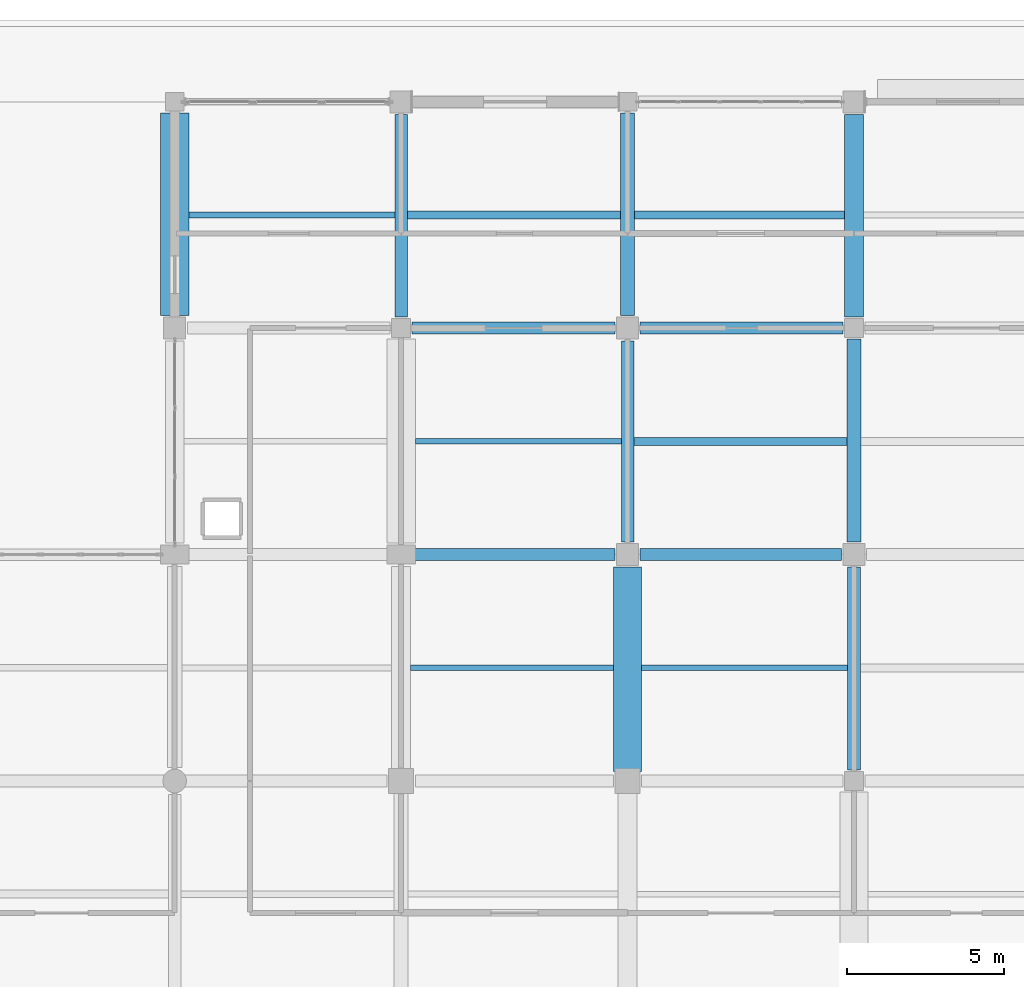
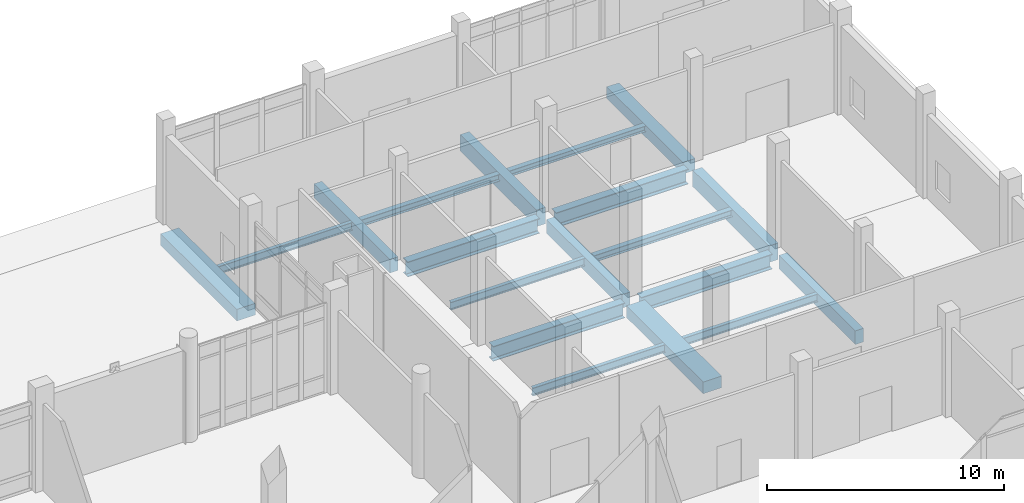
# One storey, part 134 of 229: 19 beams.
"""IFC4 building model written with IfcOpenShell, lengths in metres."""

from ifc_helpers import new_model, si_unit, direction, frame, origin, origin_2d, place, context, subcontext, project, spatial, rectangle, i_section, extrude, material, material_profile, profile_set, type_object, element, save


model = new_model("IFC4")

# Units and contexts
model_context = context("Model", 3, precision=1e-05, world=origin(), true_north=direction((0.0, 1.0)))
body_context = subcontext(model_context, "Body", "Model", "MODEL_VIEW")
ifc_project = project(units=[si_unit("LENGTHUNIT", "METRE"), si_unit("AREAUNIT", "SQUARE_METRE"), si_unit("VOLUMEUNIT", "CUBIC_METRE"), si_unit("PLANEANGLEUNIT", "RADIAN"), si_unit("MASSUNIT", "GRAM", prefix="KILO")], contexts=[model_context])

# Site, building, storey
site_placement = place(None, origin())
site = spatial("IfcSite", under=ifc_project, at=site_placement, CompositionType="ELEMENT")
building_placement = place(site_placement, origin())
building = spatial("IfcBuilding", under=site, at=building_placement, Name="Calvrana Isthmian Art Gallery", CompositionType="ELEMENT")
storey_placement = place(building_placement, origin())
storey = spatial("IfcBuildingStorey", under=building, at=storey_placement, Name="L00", CompositionType="ELEMENT", Elevation=0.0)

# Beams
ifc_material_1 = material(Name="Steel ASTM A992 Gr 50", Category="steel")
ifc_material_profile_1 = material_profile(ifc_material_1, i_section(OverallWidth=0.381103515625, OverallDepth=0.77197265625, WebThickness=0.0166015625, FlangeThickness=0.027099609375, FilletRadius=0.02490234375, at=origin_2d()), Name="W30X173")
ifc_profile_set_1 = profile_set([ifc_material_profile_1], Name="Steel ASTM A992 Gr 50")
beam_type_1 = type_object("IfcBeamType", Name="BM-G-W30X173", PredefinedType="BEAM", material=ifc_profile_set_1)
beam_1_placement = place(storey_placement, frame((141.97509765625, 98.39990234375, -0.740966796875), z_axis=(1.0, 0.0, 0.0), x_axis=(0.0, 1.0, 0.0)))
element("IfcBeam", 1, at=beam_1_placement, inside=storey, type_object=beam_type_1, Name="Girder X L00 19-20/N", PredefinedType="BEAM", context=body_context, shape_type="SweptSolid", body=[
    extrude(i_section(OverallWidth=0.381103515625, OverallDepth=0.77197265625, WebThickness=0.0166015625, FlangeThickness=0.027099609375, FilletRadius=0.02490234375, at=origin_2d()), origin(), (0.0, 0.0, 1.0), 6.4248046875),
])
beam_2_placement = place(storey_placement, frame((149.199951171875, 98.39990234375, -0.740966796875), z_axis=(1.0, 0.0, 0.0), x_axis=(0.0, 1.0, 0.0)))
element("IfcBeam", 2, at=beam_2_placement, inside=storey, type_object=beam_type_1, Name="Girder X L00 20-21/N", PredefinedType="BEAM", context=body_context, shape_type="SweptSolid", body=[
    extrude(i_section(OverallWidth=0.381103515625, OverallDepth=0.77197265625, WebThickness=0.0166015625, FlangeThickness=0.027099609375, FilletRadius=0.02490234375, at=origin_2d()), origin(), (0.0, 0.0, 1.0), 6.400146484375),
])
for number, where, z_axis, x_axis, name in (
    (3, (141.949951171875, 105.60009765625, -0.740966796875), (1.0, 0.0, 0.0), (0.0, 1.0, 0.0), "Girder X L00 19-20/O"),
    (4, (149.199951171875, 105.60009765625, -0.740966796875), (1.0, 0.0, 0.0), (0.0, 1.0, 0.0), "Girder X L00 20-21/O"),
):
    element("IfcBeam", number, at=place(storey_placement, frame(where, z_axis=z_axis, x_axis=x_axis)), inside=storey, type_object=beam_type_1, Name=name, PredefinedType="BEAM", context=body_context, shape_type="SweptSolid", body=[
        extrude(i_section(OverallWidth=0.381103515625, OverallDepth=0.77197265625, WebThickness=0.0166015625, FlangeThickness=0.027099609375, FilletRadius=0.02490234375, at=origin_2d()), origin(), (0.0, 0.0, 1.0), 6.449951171875),
    ])
ifc_material_profile_2 = material_profile(ifc_material_1, i_section(OverallWidth=0.25390625, OverallDepth=0.306884765625, WebThickness=0.0087890625, FlangeThickness=0.0146484375, FilletRadius=0.01611328125, at=origin_2d()), Name="W12X53")
ifc_profile_set_2 = profile_set([ifc_material_profile_2], Name="Steel ASTM A992 Gr 50")
beam_type_2 = type_object("IfcBeamType", Name="BM-J-W12X53", PredefinedType="JOIST", material=ifc_profile_set_2)
beam_3_placement = place(storey_placement, frame((149.02490234375, 109.199951171875, -0.508544921875), z_axis=(1.0, 0.0, 0.0), x_axis=(0.0, 1.0, 0.0)))
element("IfcBeam", 5, at=beam_3_placement, inside=storey, type_object=beam_type_2, Name="Composite joist L00 bay 19-14", PredefinedType="JOIST", context=body_context, shape_type="SweptSolid", body=[
    extrude(i_section(OverallWidth=0.25390625, OverallDepth=0.306884765625, WebThickness=0.0087890625, FlangeThickness=0.0146484375, FilletRadius=0.01611328125, at=origin_2d()), origin(), (0.0, 0.0, 1.0), 6.675048828125),
])
ifc_material_profile_3 = material_profile(ifc_material_1, i_section(OverallWidth=0.25390625, OverallDepth=0.35302734375, WebThickness=0.009521484375, FlangeThickness=0.016357421875, FilletRadius=0.01806640625, at=origin_2d()), Name="W14X61")
ifc_profile_set_3 = profile_set([ifc_material_profile_3], Name="Steel ASTM A992 Gr 50")
beam_type_3 = type_object("IfcBeamType", Name="BM-J-W14X61", PredefinedType="JOIST", material=ifc_profile_set_3)
for number, where, z_axis, x_axis, name in (
    (6, (141.800048828125, 109.199951171875, -0.531494140625), (1.0, 0.0, 0.0), (0.0, 1.0, 0.0), "Composite joist L00 bay 18-14"),
    (7, (149.0, 102.0, -0.531494140625), (1.0, 0.0, 0.0), (0.0, 1.0, 0.0), "Composite joist L00 bay 19-13"),
):
    element("IfcBeam", number, at=place(storey_placement, frame(where, z_axis=z_axis, x_axis=x_axis)), inside=storey, type_object=beam_type_3, Name=name, PredefinedType="JOIST", context=body_context, shape_type="SweptSolid", body=[
        extrude(i_section(OverallWidth=0.25390625, OverallDepth=0.35302734375, WebThickness=0.009521484375, FlangeThickness=0.016357421875, FilletRadius=0.01806640625, at=origin_2d()), origin(), (0.0, 0.0, 1.0), 6.77490234375),
    ])
ifc_material_profile_4 = material_profile(ifc_material_1, i_section(OverallWidth=0.177978515625, OverallDepth=0.404052734375, WebThickness=0.007568359375, FlangeThickness=0.010986328125, FilletRadius=0.01806640625, at=origin_2d()), Name="W16X36")
ifc_profile_set_4 = profile_set([ifc_material_profile_4], Name="Steel ASTM A992 Gr 50")
beam_type_4 = type_object("IfcBeamType", Name="BM-J-W16X36", PredefinedType="JOIST", material=ifc_profile_set_4)
beam_4_placement = place(storey_placement, frame((134.85009765625, 109.199951171875, -0.556884765625), z_axis=(1.0, 0.0, 0.0), x_axis=(0.0, 1.0, 0.0)))
element("IfcBeam", 8, at=beam_4_placement, inside=storey, type_object=beam_type_4, Name="Composite joist L00 bay 17-14", PredefinedType="JOIST", context=body_context, shape_type="SweptSolid", body=[
    extrude(i_section(OverallWidth=0.177978515625, OverallDepth=0.404052734375, WebThickness=0.007568359375, FlangeThickness=0.010986328125, FilletRadius=0.01806640625, at=origin_2d()), origin(), (0.0, 0.0, 1.0), 6.5498046875),
])
for number, where, z_axis, x_axis, name in (
    (9, (142.050048828125, 102.0, -0.556884765625), (1.0, 0.0, 0.0), (0.0, 1.0, 0.0), "Composite joist L00 bay 18-13"),
    (10, (149.25, 94.800048828125, -0.556884765625), (1.0, 0.0, 0.0), (0.0, 1.0, 0.0), "Composite joist L00 bay 19-12"),
):
    element("IfcBeam", number, at=place(storey_placement, frame(where, z_axis=z_axis, x_axis=x_axis)), inside=storey, type_object=beam_type_4, Name=name, PredefinedType="JOIST", context=body_context, shape_type="SweptSolid", body=[
        extrude(i_section(OverallWidth=0.177978515625, OverallDepth=0.404052734375, WebThickness=0.007568359375, FlangeThickness=0.010986328125, FilletRadius=0.01806640625, at=origin_2d()), origin(), (0.0, 0.0, 1.0), 6.550048828125),
    ])
ifc_material_profile_5 = material_profile(ifc_material_1, i_section(OverallWidth=0.179931640625, OverallDepth=0.4140625, WebThickness=0.009765625, FlangeThickness=0.01611328125, FilletRadius=0.01806640625, at=origin_2d()), Name="W16X50")
ifc_profile_set_5 = profile_set([ifc_material_profile_5], Name="Steel ASTM A992 Gr 50")
beam_type_5 = type_object("IfcBeamType", Name="BM-J-W16X50", PredefinedType="JOIST", material=ifc_profile_set_5)
beam_5_placement = place(storey_placement, frame((141.89990234375, 94.800048828125, -0.56201171875), z_axis=(1.0, 0.0, 0.0), x_axis=(0.0, 1.0, 0.0)))
element("IfcBeam", 11, at=beam_5_placement, inside=storey, type_object=beam_type_5, Name="Composite joist L00 bay 18-12", PredefinedType="JOIST", context=body_context, shape_type="SweptSolid", body=[
    extrude(i_section(OverallWidth=0.179931640625, OverallDepth=0.4140625, WebThickness=0.009765625, FlangeThickness=0.01611328125, FilletRadius=0.01806640625, at=origin_2d()), origin(), (0.0, 0.0, 1.0), 6.4501953125),
])
ifc_material_2 = material(Name="Concrete C40/50", Category="concrete")
ifc_material_profile_6 = material_profile(ifc_material_2, rectangle(XDim=0.39990234375, YDim=0.699951171875, at=origin_2d()), Name="RC400X700")
ifc_profile_set_6 = profile_set([ifc_material_profile_6], Name="Concrete C40/50")
beam_type_6 = type_object("IfcBeamType", Name="BM-RC-400X700", PredefinedType="BEAM", material=ifc_profile_set_6)
beam_6_placement = place(storey_placement, frame((141.60009765625, 105.949951171875, -0.705078125), z_axis=(0.0, 1.0, 0.0), x_axis=(-1.0, 0.0, 0.0)))
element("IfcBeam", 12, at=beam_6_placement, inside=storey, type_object=beam_type_6, Name="Girder Y L00 19/O-P", PredefinedType="BEAM", context=body_context, shape_type="SweptSolid", body=[
    extrude(rectangle(XDim=0.39990234375, YDim=0.699951171875, at=origin_2d()), origin(), (0.0, 0.0, 1.0), 6.449951171875),
])
beam_7_placement = place(storey_placement, frame((148.800048828125, 98.800048828125, -0.705078125), z_axis=(0.0, 1.0, 0.0), x_axis=(-1.0, 0.0, 0.0)))
element("IfcBeam", 13, at=beam_7_placement, inside=storey, type_object=beam_type_6, Name="Girder Y L00 20/N-O", PredefinedType="BEAM", context=body_context, shape_type="SweptSolid", body=[
    extrude(rectangle(XDim=0.39990234375, YDim=0.699951171875, at=origin_2d()), origin(), (0.0, 0.0, 1.0), 6.39990234375),
])
beam_8_placement = place(storey_placement, frame((156.0, 91.550048828125, -0.705078125), z_axis=(0.0, 1.0, 0.0), x_axis=(-1.0, 0.0, 0.0)))
element("IfcBeam", 14, at=beam_8_placement, inside=storey, type_object=beam_type_6, Name="Girder Y L00 21/M-N", PredefinedType="BEAM", context=body_context, shape_type="SweptSolid", body=[
    extrude(rectangle(XDim=0.39990234375, YDim=0.699951171875, at=origin_2d()), origin(), (0.0, 0.0, 1.0), 6.449951171875),
])
ifc_material_profile_7 = material_profile(ifc_material_2, rectangle(XDim=0.449951171875, YDim=0.85009765625, at=origin_2d()), Name="RC450X850")
ifc_profile_set_7 = profile_set([ifc_material_profile_7], Name="Concrete C40/50")
beam_type_7 = type_object("IfcBeamType", Name="BM-RC-450X850", PredefinedType="BEAM", material=ifc_profile_set_7)
for number, where, z_axis, x_axis, name in (
    (15, (148.800048828125, 106.0, -0.780029296875), (0.0, 1.0, 0.0), (-1.0, 0.0, 0.0), "Girder Y L00 20/O-P"),
    (16, (156.0, 98.800048828125, -0.780029296875), (0.0, 1.0, 0.0), (-1.0, 0.0, 0.0), "Girder Y L00 21/N-O"),
):
    element("IfcBeam", number, at=place(storey_placement, frame(where, z_axis=z_axis, x_axis=x_axis)), inside=storey, type_object=beam_type_7, Name=name, PredefinedType="BEAM", context=body_context, shape_type="SweptSolid", body=[
        extrude(rectangle(XDim=0.449951171875, YDim=0.85009765625, at=origin_2d()), origin(), (0.0, 0.0, 1.0), 6.449951171875),
    ])
ifc_material_profile_8 = material_profile(ifc_material_2, rectangle(XDim=0.60009765625, YDim=0.60009765625, at=origin_2d()), Name="RC600X600")
ifc_profile_set_8 = profile_set([ifc_material_profile_8], Name="Concrete C40/50")
beam_type_8 = type_object("IfcBeamType", Name="BM-RC-600X600", PredefinedType="BEAM", material=ifc_profile_set_8)
beam_9_placement = place(storey_placement, frame((156.0, 105.949951171875, -0.655029296875), z_axis=(0.0, 1.0, 0.0), x_axis=(-1.0, 0.0, 0.0)))
element("IfcBeam", 17, at=beam_9_placement, inside=storey, type_object=beam_type_8, Name="Girder Y L00 21/O-P", PredefinedType="BEAM", context=body_context, shape_type="SweptSolid", body=[
    extrude(rectangle(XDim=0.60009765625, YDim=0.60009765625, at=origin_2d()), origin(), (0.0, 0.0, 1.0), 6.449951171875),
])
ifc_material_profile_9 = material_profile(ifc_material_2, rectangle(XDim=0.89990234375, YDim=0.60009765625, at=origin_2d()), Name="RC900X600")
ifc_profile_set_9 = profile_set([ifc_material_profile_9], Name="Concrete C40/50")
beam_type_9 = type_object("IfcBeamType", Name="BM-RC-900X600", PredefinedType="BEAM", material=ifc_profile_set_9)
beam_10_placement = place(storey_placement, frame((134.39990234375, 106.0, -0.655029296875), z_axis=(0.0, 1.0, 0.0), x_axis=(-1.0, 0.0, 0.0)))
element("IfcBeam", 18, at=beam_10_placement, inside=storey, type_object=beam_type_9, Name="Girder Y L00 18/O-P", PredefinedType="BEAM", context=body_context, shape_type="SweptSolid", body=[
    extrude(rectangle(XDim=0.89990234375, YDim=0.60009765625, at=origin_2d()), origin(), (0.0, 0.0, 1.0), 6.449951171875),
])
beam_11_placement = place(storey_placement, frame((148.800048828125, 91.5, -0.655029296875), z_axis=(0.0, 1.0, 0.0), x_axis=(-1.0, 0.0, 0.0)))
element("IfcBeam", 19, at=beam_11_placement, inside=storey, type_object=beam_type_9, Name="Girder Y L00 20/M-N", PredefinedType="BEAM", context=body_context, shape_type="SweptSolid", body=[
    extrude(rectangle(XDim=0.89990234375, YDim=0.60009765625, at=origin_2d()), origin(), (0.0, 0.0, 1.0), 6.5),
])

save(model, "model.ifc")
